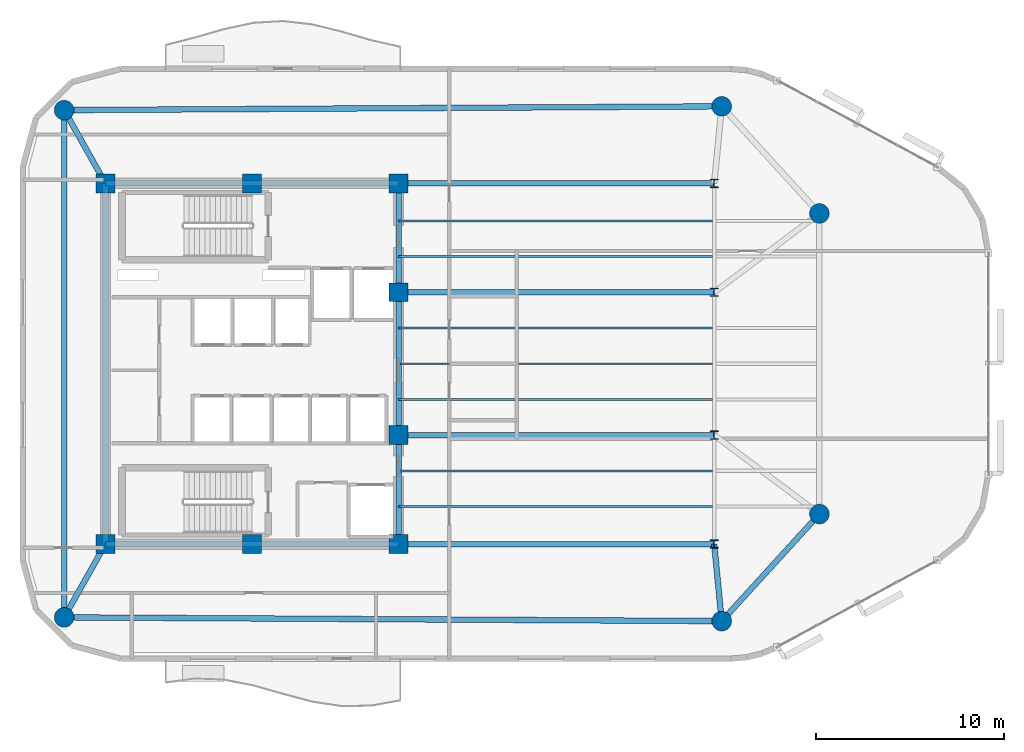
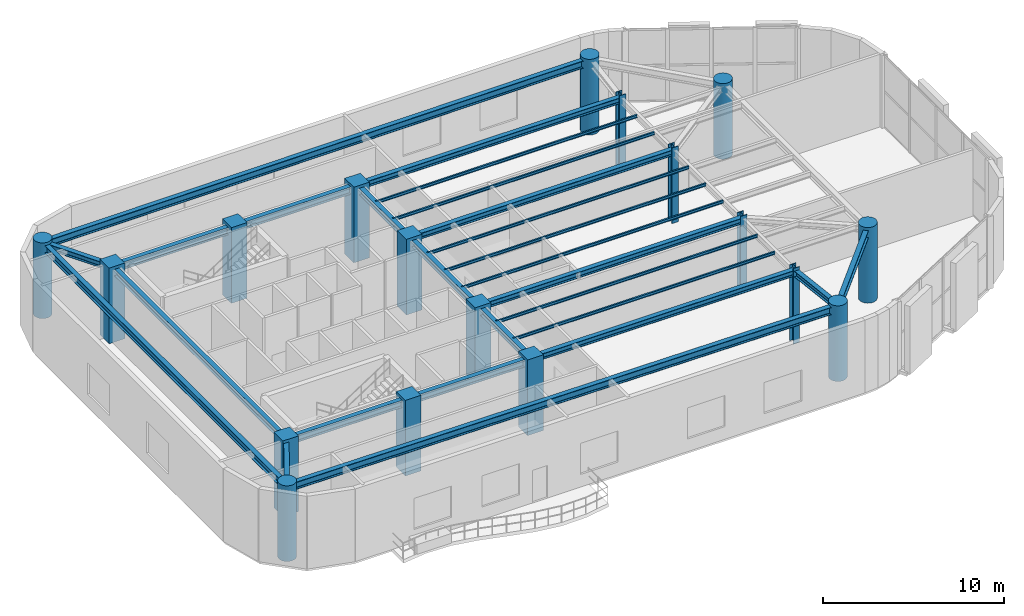
# One storey, part 1 of 11: 24 beams, 18 columns.
"""IFC4 building model written with IfcOpenShell, lengths in metres."""

from ifc_helpers import new_model, si_unit, direction, frame, origin, origin_2d, place, context, subcontext, project, spatial, rectangle, circle, i_section, extrude, material, material_profile, profile_set, type_object, element, save


model = new_model("IFC4")

# Units and contexts
model_context = context("Model", 3, precision=1e-05, world=origin(), true_north=direction((0.0, 1.0)))
body_context = subcontext(model_context, "Body", "Model", "MODEL_VIEW")
ifc_project = project(units=[si_unit("LENGTHUNIT", "METRE"), si_unit("AREAUNIT", "SQUARE_METRE"), si_unit("VOLUMEUNIT", "CUBIC_METRE"), si_unit("PLANEANGLEUNIT", "RADIAN"), si_unit("MASSUNIT", "GRAM", prefix="KILO")], contexts=[model_context])

# Site, building, storey
site_placement = place(None, origin())
site = spatial("IfcSite", under=ifc_project, at=site_placement, CompositionType="ELEMENT")
building_placement = place(site_placement, origin())
building = spatial("IfcBuilding", under=site, at=building_placement, Name="An Khanh Terracotta Commons", CompositionType="ELEMENT")
storey_placement = place(building_placement, frame((0.0, 0.0, 196.199951171875)))
storey = spatial("IfcBuildingStorey", under=building, at=storey_placement, Name="L51", CompositionType="ELEMENT", Elevation=196.199951171875)

# Columns
ifc_material_1 = material(Name="Concrete C60/75", Category="concrete")
ifc_material_profile_1 = material_profile(ifc_material_1, circle(Radius=0.52490234375, at=origin_2d()), Name="CFST1050")
ifc_profile_set_1 = profile_set([ifc_material_profile_1], Name="Concrete C60/75")
column_type_1 = type_object("IfcColumnType", Name="COL-CFST1050", PredefinedType="COLUMN", material=ifc_profile_set_1)
for number, where, z_axis, x_axis, name in (
    (1, (19.39990234375, 10.5, 0.0), (0.0, 0.0, 1.0), (1.0, 0.0, 0.0), "L51 Perimeter CFST Mega-Column MC-01"),
    (2, (54.39990234375, 10.300048828125, 0.0), (0.0, 0.0, 1.0), (1.0, 0.0, 0.0), "L51 Perimeter CFST Mega-Column MC-02"),
    (3, (59.60009765625, 16.0, 0.0), (0.0, 0.0, 1.0), (1.0, 0.0, 0.0), "L51 Perimeter CFST Mega-Column MC-03"),
    (4, (59.60009765625, 32.0, 0.0), (0.0, 0.0, 1.0), (1.0, 0.0, 0.0), "L51 Perimeter CFST Mega-Column MC-04"),
    (5, (54.39990234375, 37.699951171875, 0.0), (0.0, 0.0, 1.0), (1.0, 0.0, 0.0), "L51 Perimeter CFST Mega-Column MC-05"),
    (6, (19.39990234375, 37.5, 0.0), (0.0, 0.0, 1.0), (1.0, 0.0, 0.0), "L51 Perimeter CFST Mega-Column MC-06"),
):
    element("IfcColumn", number, at=place(storey_placement, frame(where, z_axis=z_axis, x_axis=x_axis)), inside=storey, type_object=column_type_1, Name=name, PredefinedType="COLUMN", context=body_context, shape_type="SweptSolid", body=[
        extrude(circle(Radius=0.52490234375, at=origin_2d()), origin(), (0.0, 0.0, 1.0), 5.10009765625),
    ])
ifc_material_2 = material(Name="Steel S460ML", Category="steel")
ifc_material_profile_2 = material_profile(ifc_material_2, i_section(OverallWidth=0.406005859375, OverallDepth=0.43994140625, WebThickness=0.02392578125, FlangeThickness=0.0390625, FilletRadius=0.014892578125, at=origin_2d()), Name="HD400x314")
ifc_profile_set_2 = profile_set([ifc_material_profile_2], Name="Steel S460ML")
column_type_2 = type_object("IfcColumnType", Name="COL-HD400x314", PredefinedType="COLUMN", material=ifc_profile_set_2)
for number, where, z_axis, x_axis, name in (
    (7, (54.0, 14.39990234375, 0.0), (0.0, 0.0, 1.0), (1.0, 0.0, 0.0), "L51 Interior Frame Column TC-01"),
    (8, (54.0, 20.199951171875, 0.0), (0.0, 0.0, 1.0), (1.0, 0.0, 0.0), "L51 Interior Frame Column TC-02"),
    (9, (54.0, 27.800048828125, 0.0), (0.0, 0.0, 1.0), (1.0, 0.0, 0.0), "L51 Interior Frame Column TC-03"),
    (10, (54.0, 33.60009765625, 0.0), (0.0, 0.0, 1.0), (1.0, 0.0, 0.0), "L51 Interior Frame Column TC-04"),
):
    element("IfcColumn", number, at=place(storey_placement, frame(where, z_axis=z_axis, x_axis=x_axis)), inside=storey, type_object=column_type_2, Name=name, PredefinedType="COLUMN", context=body_context, shape_type="SweptSolid", body=[
        extrude(i_section(OverallWidth=0.406005859375, OverallDepth=0.43994140625, WebThickness=0.02392578125, FlangeThickness=0.0390625, FilletRadius=0.014892578125, at=origin_2d()), origin(), (0.0, 0.0, 1.0), 5.10009765625),
    ])
ifc_material_profile_3 = material_profile(ifc_material_1, rectangle(XDim=1.0, YDim=1.0, at=origin_2d()), Name="RC1000x1000")
ifc_profile_set_3 = profile_set([ifc_material_profile_3], Name="Concrete C60/75")
column_type_3 = type_object("IfcColumnType", Name="COL-RC1000x1000", PredefinedType="COLUMN", material=ifc_profile_set_3)
for number, where, z_axis, x_axis, name in (
    (11, (21.60009765625, 14.39990234375, 0.0), (0.0, 0.0, 1.0), (1.0, 0.0, 0.0), "L51 Core Boundary Column CC-01"),
    (12, (29.39990234375, 14.39990234375, 0.0), (0.0, 0.0, 1.0), (1.0, 0.0, 0.0), "L51 Core Boundary Column CC-02"),
    (13, (37.199951171875, 14.39990234375, 0.0), (0.0, 0.0, 1.0), (1.0, 0.0, 0.0), "L51 Core Boundary Column CC-03"),
    (14, (37.199951171875, 20.199951171875, 0.0), (0.0, 0.0, 1.0), (1.0, 0.0, 0.0), "L51 Core Boundary Column CC-04"),
    (15, (37.199951171875, 27.800048828125, 0.0), (0.0, 0.0, 1.0), (1.0, 0.0, 0.0), "L51 Core Boundary Column CC-05"),
    (16, (37.199951171875, 33.60009765625, 0.0), (0.0, 0.0, 1.0), (1.0, 0.0, 0.0), "L51 Core Boundary Column CC-06"),
    (17, (29.39990234375, 33.60009765625, 0.0), (0.0, 0.0, 1.0), (1.0, 0.0, 0.0), "L51 Core Boundary Column CC-07"),
    (18, (21.60009765625, 33.60009765625, 0.0), (0.0, 0.0, 1.0), (1.0, 0.0, 0.0), "L51 Core Boundary Column CC-08"),
):
    element("IfcColumn", number, at=place(storey_placement, frame(where, z_axis=z_axis, x_axis=x_axis)), inside=storey, type_object=column_type_3, Name=name, PredefinedType="COLUMN", context=body_context, shape_type="SweptSolid", body=[
        extrude(rectangle(XDim=1.0, YDim=1.0, at=origin_2d()), origin(), (0.0, 0.0, 1.0), 5.10009765625),
    ])

# Beams
ifc_material_3 = material(Name="Steel S355J2", Category="steel")
ifc_material_profile_4 = material_profile(ifc_material_3, i_section(OverallWidth=0.300048828125, OverallDepth=0.39990234375, WebThickness=0.013427734375, FlangeThickness=0.02392578125, FilletRadius=0.027099609375, at=origin_2d()), Name="HEB400")
ifc_profile_set_4 = profile_set([ifc_material_profile_4], Name="Steel S355J2")
beam_type_1 = type_object("IfcBeamType", Name="BM-HEB400", PredefinedType="BEAM", material=ifc_profile_set_4)
for number, where, z_axis, x_axis, name in (
    (19, (37.199951171875, 14.39990234375, 4.699951171875), (1.0, 0.0, 0.0), (0.0, 1.0, 0.0), "L51 East Primary Floor Girder 1"),
    (20, (37.199951171875, 20.199951171875, 4.699951171875), (1.0, 0.0, 0.0), (0.0, 1.0, 0.0), "L51 East Primary Floor Girder 2"),
    (21, (37.199951171875, 27.800048828125, 4.699951171875), (1.0, 0.0, 0.0), (0.0, 1.0, 0.0), "L51 East Primary Floor Girder 3"),
    (22, (37.199951171875, 33.60009765625, 4.699951171875), (1.0, 0.0, 0.0), (0.0, 1.0, 0.0), "L51 East Primary Floor Girder 4"),
):
    element("IfcBeam", number, at=place(storey_placement, frame(where, z_axis=z_axis, x_axis=x_axis)), inside=storey, type_object=beam_type_1, Name=name, PredefinedType="BEAM", context=body_context, shape_type="SweptSolid", body=[
        extrude(i_section(OverallWidth=0.300048828125, OverallDepth=0.39990234375, WebThickness=0.013427734375, FlangeThickness=0.02392578125, FilletRadius=0.027099609375, at=origin_2d()), origin(), (0.0, 0.0, 1.0), 16.800048828125),
    ])
beam_1_placement = place(storey_placement, frame((19.39990234375, 10.5, 4.699951171875), z_axis=(0.491363608436, 0.870954536302, 0.0), x_axis=(-0.870954536302, 0.491363608436, 0.0)))
element("IfcBeam", 23, at=beam_1_placement, inside=storey, type_object=beam_type_1, Name="L51 Mega-Column Tie Girder 1", PredefinedType="BEAM", context=body_context, shape_type="SweptSolid", body=[
    extrude(i_section(OverallWidth=0.300048828125, OverallDepth=0.39990234375, WebThickness=0.013427734375, FlangeThickness=0.02392578125, FilletRadius=0.027099609375, at=origin_2d()), origin(), (0.0, 0.0, 1.0), 4.477783203125),
])
beam_2_placement = place(storey_placement, frame((54.39990234375, 10.300048828125, 4.699951171875), z_axis=(-0.097079917443, 0.995276589511, 0.0), x_axis=(-0.995276589511, -0.097079917443, 0.0)))
element("IfcBeam", 24, at=beam_2_placement, inside=storey, type_object=beam_type_1, Name="L51 Mega-Column Tie Girder 2", PredefinedType="BEAM", context=body_context, shape_type="SweptSolid", body=[
    extrude(i_section(OverallWidth=0.300048828125, OverallDepth=0.39990234375, WebThickness=0.013427734375, FlangeThickness=0.02392578125, FilletRadius=0.027099609375, at=origin_2d()), origin(), (0.0, 0.0, 1.0), 4.119384765625),
])
beam_3_placement = place(storey_placement, frame((19.39990234375, 37.5, 4.699951171875), z_axis=(0.491363608436, -0.870954536302, 0.0), x_axis=(0.870954536302, 0.491363608436, 0.0)))
element("IfcBeam", 25, at=beam_3_placement, inside=storey, type_object=beam_type_1, Name="L51 Mega-Column Tie Girder 6", PredefinedType="BEAM", context=body_context, shape_type="SweptSolid", body=[
    extrude(i_section(OverallWidth=0.300048828125, OverallDepth=0.39990234375, WebThickness=0.013427734375, FlangeThickness=0.02392578125, FilletRadius=0.027099609375, at=origin_2d()), origin(), (0.0, 0.0, 1.0), 4.477783203125),
])
ifc_material_profile_5 = material_profile(ifc_material_3, i_section(OverallWidth=0.300048828125, OverallDepth=0.449951171875, WebThickness=0.013916015625, FlangeThickness=0.02587890625, FilletRadius=0.027099609375, at=origin_2d()), Name="HEB450")
ifc_profile_set_5 = profile_set([ifc_material_profile_5], Name="Steel S355J2")
beam_type_2 = type_object("IfcBeamType", Name="BM-HEB450", PredefinedType="BEAM", material=ifc_profile_set_5)
beam_4_placement = place(storey_placement, frame((37.199951171875, 14.39990234375, 4.675048828125), z_axis=(0.0, 1.0, 0.0), x_axis=(-1.0, 0.0, 0.0)))
element("IfcBeam", 26, at=beam_4_placement, inside=storey, type_object=beam_type_2, Name="L51 Core East Coupling Girder 1", PredefinedType="BEAM", context=body_context, shape_type="SweptSolid", body=[
    extrude(i_section(OverallWidth=0.300048828125, OverallDepth=0.449951171875, WebThickness=0.013916015625, FlangeThickness=0.02587890625, FilletRadius=0.027099609375, at=origin_2d()), origin(), (0.0, 0.0, 1.0), 5.800048828125),
])
beam_5_placement = place(storey_placement, frame((37.199951171875, 20.199951171875, 4.675048828125), z_axis=(0.0, 1.0, 0.0), x_axis=(-1.0, 0.0, 0.0)))
element("IfcBeam", 27, at=beam_5_placement, inside=storey, type_object=beam_type_2, Name="L51 Core East Coupling Girder 2", PredefinedType="BEAM", context=body_context, shape_type="SweptSolid", body=[
    extrude(i_section(OverallWidth=0.300048828125, OverallDepth=0.449951171875, WebThickness=0.013916015625, FlangeThickness=0.02587890625, FilletRadius=0.027099609375, at=origin_2d()), origin(), (0.0, 0.0, 1.0), 7.60009765625),
])
beam_6_placement = place(storey_placement, frame((37.199951171875, 27.800048828125, 4.675048828125), z_axis=(0.0, 1.0, 0.0), x_axis=(-1.0, 0.0, 0.0)))
element("IfcBeam", 28, at=beam_6_placement, inside=storey, type_object=beam_type_2, Name="L51 Core East Coupling Girder 3", PredefinedType="BEAM", context=body_context, shape_type="SweptSolid", body=[
    extrude(i_section(OverallWidth=0.300048828125, OverallDepth=0.449951171875, WebThickness=0.013916015625, FlangeThickness=0.02587890625, FilletRadius=0.027099609375, at=origin_2d()), origin(), (0.0, 0.0, 1.0), 5.800048828125),
])
beam_7_placement = place(storey_placement, frame((21.60009765625, 14.39990234375, 4.675048828125), z_axis=(0.0, 1.0, 0.0), x_axis=(-1.0, 0.0, 0.0)))
element("IfcBeam", 29, at=beam_7_placement, inside=storey, type_object=beam_type_2, Name="L51 Core West Coupling Girder", PredefinedType="BEAM", context=body_context, shape_type="SweptSolid", body=[
    extrude(i_section(OverallWidth=0.300048828125, OverallDepth=0.449951171875, WebThickness=0.013916015625, FlangeThickness=0.02587890625, FilletRadius=0.027099609375, at=origin_2d()), origin(), (0.0, 0.0, 1.0), 19.2001953125),
])
ifc_material_profile_6 = material_profile(ifc_material_3, i_section(OverallWidth=0.300048828125, OverallDepth=0.5, WebThickness=0.014404296875, FlangeThickness=0.028076171875, FilletRadius=0.027099609375, at=origin_2d()), Name="HEB500")
ifc_profile_set_6 = profile_set([ifc_material_profile_6], Name="Steel S355J2")
beam_type_3 = type_object("IfcBeamType", Name="BM-HEB500", PredefinedType="BEAM", material=ifc_profile_set_6)
for number, where, z_axis, x_axis, name in (
    (30, (21.60009765625, 14.39990234375, 4.650146484375), (1.0, 0.0, 0.0), (0.0, 1.0, 0.0), "L51 Core South Coupling Girder"),
    (31, (21.60009765625, 33.60009765625, 4.650146484375), (1.0, 0.0, 0.0), (0.0, 1.0, 0.0), "L51 Core North Coupling Girder"),
):
    element("IfcBeam", number, at=place(storey_placement, frame(where, z_axis=z_axis, x_axis=x_axis)), inside=storey, type_object=beam_type_3, Name=name, PredefinedType="BEAM", context=body_context, shape_type="SweptSolid", body=[
        extrude(i_section(OverallWidth=0.300048828125, OverallDepth=0.5, WebThickness=0.014404296875, FlangeThickness=0.028076171875, FilletRadius=0.027099609375, at=origin_2d()), origin(), (0.0, 0.0, 1.0), 15.599853515625),
    ])
beam_8_placement = place(storey_placement, frame((19.39990234375, 10.5, 4.650146484375), z_axis=(0.99998368184, -0.005712797401, 0.0), x_axis=(0.005712797401, 0.99998368184, 0.0)))
element("IfcBeam", 32, at=beam_8_placement, inside=storey, type_object=beam_type_3, Name="L51 Perimeter Ring Spandrel 1", PredefinedType="BEAM", context=body_context, shape_type="SweptSolid", body=[
    extrude(i_section(OverallWidth=0.300048828125, OverallDepth=0.5, WebThickness=0.014404296875, FlangeThickness=0.028076171875, FilletRadius=0.027099609375, at=origin_2d()), origin(), (0.0, 0.0, 1.0), 35.00048828125),
])
beam_9_placement = place(storey_placement, frame((54.39990234375, 10.300048828125, 4.650146484375), z_axis=(0.673978953902, 0.738750546326, 0.0), x_axis=(-0.738750546326, 0.673978953902, 0.0)))
element("IfcBeam", 33, at=beam_9_placement, inside=storey, type_object=beam_type_3, Name="L51 Perimeter Ring Spandrel 2", PredefinedType="BEAM", context=body_context, shape_type="SweptSolid", body=[
    extrude(i_section(OverallWidth=0.300048828125, OverallDepth=0.5, WebThickness=0.014404296875, FlangeThickness=0.028076171875, FilletRadius=0.027099609375, at=origin_2d()), origin(), (0.0, 0.0, 1.0), 7.715576171875),
])
beam_10_placement = place(storey_placement, frame((54.39990234375, 37.699951171875, 4.650146484375), z_axis=(-0.99998368184, -0.005712797401, 0.0), x_axis=(0.005712797401, -0.99998368184, 0.0)))
element("IfcBeam", 34, at=beam_10_placement, inside=storey, type_object=beam_type_3, Name="L51 Perimeter Ring Spandrel 5", PredefinedType="BEAM", context=body_context, shape_type="SweptSolid", body=[
    extrude(i_section(OverallWidth=0.300048828125, OverallDepth=0.5, WebThickness=0.014404296875, FlangeThickness=0.028076171875, FilletRadius=0.027099609375, at=origin_2d()), origin(), (0.0, 0.0, 1.0), 35.00048828125),
])
beam_11_placement = place(storey_placement, frame((19.39990234375, 37.5, 4.650146484375), z_axis=(0.0, -1.0, 0.0), x_axis=(1.0, 0.0, 0.0)))
element("IfcBeam", 35, at=beam_11_placement, inside=storey, type_object=beam_type_3, Name="L51 Perimeter Ring Spandrel 6", PredefinedType="BEAM", context=body_context, shape_type="SweptSolid", body=[
    extrude(i_section(OverallWidth=0.300048828125, OverallDepth=0.5, WebThickness=0.014404296875, FlangeThickness=0.028076171875, FilletRadius=0.027099609375, at=origin_2d()), origin(), (0.0, 0.0, 1.0), 27.0),
])
ifc_material_profile_7 = material_profile(ifc_material_3, i_section(OverallWidth=0.10009765625, OverallDepth=0.199951171875, WebThickness=0.005615234375, FlangeThickness=0.008544921875, FilletRadius=0.011962890625, at=origin_2d()), Name="IPE200")
ifc_profile_set_7 = profile_set([ifc_material_profile_7], Name="Steel S355J2")
beam_type_4 = type_object("IfcBeamType", Name="BM-IPE200", PredefinedType="JOIST", material=ifc_profile_set_7)
for number, where, z_axis, x_axis, name in (
    (36, (37.199951171875, 16.39990234375, 4.800048828125), (1.0, 0.0, 0.0), (0.0, 1.0, 0.0), "L51 Inboard Composite Joist 1"),
    (37, (37.199951171875, 18.300048828125, 4.800048828125), (1.0, 0.0, 0.0), (0.0, 1.0, 0.0), "L51 Inboard Composite Joist 2"),
    (38, (37.199951171875, 22.10009765625, 4.800048828125), (1.0, 0.0, 0.0), (0.0, 1.0, 0.0), "L51 Inboard Composite Joist 3"),
    (39, (37.199951171875, 24.0, 4.800048828125), (1.0, 0.0, 0.0), (0.0, 1.0, 0.0), "L51 Inboard Composite Joist 4"),
    (40, (37.199951171875, 25.89990234375, 4.800048828125), (1.0, 0.0, 0.0), (0.0, 1.0, 0.0), "L51 Inboard Composite Joist 5"),
    (41, (37.199951171875, 29.699951171875, 4.800048828125), (1.0, 0.0, 0.0), (0.0, 1.0, 0.0), "L51 Inboard Composite Joist 6"),
    (42, (37.199951171875, 31.60009765625, 4.800048828125), (1.0, 0.0, 0.0), (0.0, 1.0, 0.0), "L51 Inboard Composite Joist 7"),
):
    element("IfcBeam", number, at=place(storey_placement, frame(where, z_axis=z_axis, x_axis=x_axis)), inside=storey, type_object=beam_type_4, Name=name, PredefinedType="JOIST", context=body_context, shape_type="SweptSolid", body=[
        extrude(i_section(OverallWidth=0.10009765625, OverallDepth=0.199951171875, WebThickness=0.005615234375, FlangeThickness=0.008544921875, FilletRadius=0.011962890625, at=origin_2d()), origin(), (0.0, 0.0, 1.0), 16.705078125),
    ])

save(model, "model.ifc")
